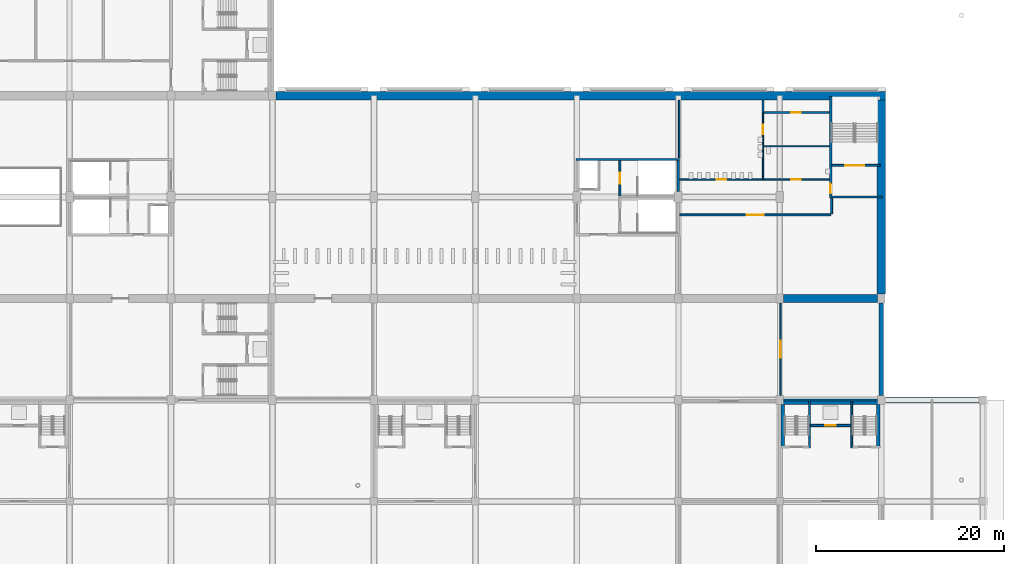
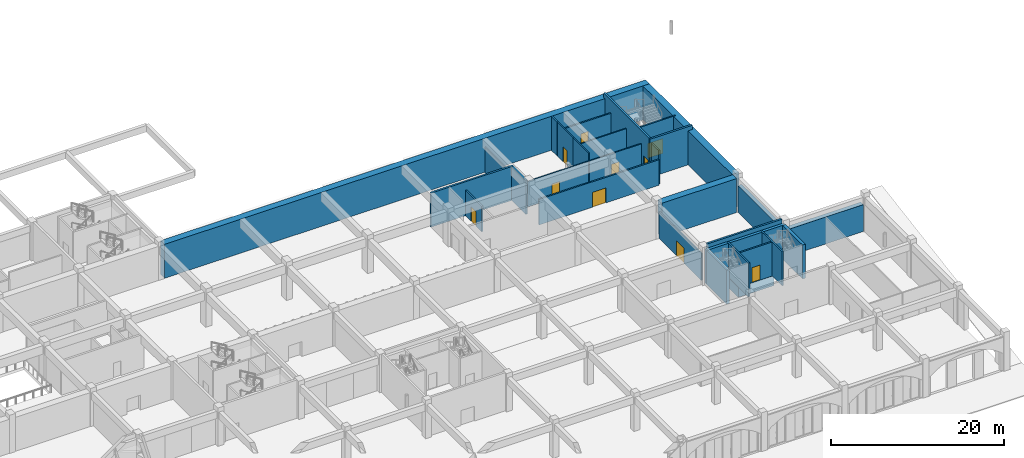
# One storey, part 34 of 101: 32 walls, 10 doors, 10 openings.
"""IFC4 building model written with IfcOpenShell, lengths in metres."""

from ifc_helpers import new_model, si_unit, direction, frame, frame_2d, origin, place, context, subcontext, project, spatial, polyline, rectangle, outline, extrude, material, layer, layer_set, type_object, element, fill, save


model = new_model("IFC4")

# Units and contexts
model_context = context("Model", 3, precision=1e-05, world=origin(), true_north=direction((0.0, 1.0)))
body_context = subcontext(model_context, "Body", "Model", "MODEL_VIEW")
ifc_project = project(units=[si_unit("LENGTHUNIT", "METRE"), si_unit("AREAUNIT", "SQUARE_METRE"), si_unit("VOLUMEUNIT", "CUBIC_METRE"), si_unit("PLANEANGLEUNIT", "RADIAN"), si_unit("MASSUNIT", "GRAM", prefix="KILO")], contexts=[model_context])

# Site, building, storey
site_placement = place(None, origin())
site = spatial("IfcSite", under=ifc_project, at=site_placement, CompositionType="ELEMENT")
building_placement = place(site_placement, origin())
building = spatial("IfcBuilding", under=site, at=building_placement, Name="Magnolia Steps Interchange", CompositionType="ELEMENT")
storey_placement = place(building_placement, frame((0.0, 0.0, -5.39990234375)))
storey = spatial("IfcBuildingStorey", under=building, at=storey_placement, Name="B1", CompositionType="ELEMENT", Elevation=-5.39990234375)

# Walls
ifc_material_1 = material(Name="Concrete C40", Category="concrete")
ifc_layer_1 = layer(ifc_material_1, 0.60009765625)
ifc_layer_set_1 = layer_set([ifc_layer_1], Name="Concrete C40 deep retaining wall 600")
wall_type_1 = type_object("IfcWallType", Name="Concrete C40 deep retaining wall 600", PredefinedType="SOLIDWALL", material=ifc_layer_set_1)
wall_1_placement = place(storey_placement, frame((183.300048828125, 42.39990234375, 0.0), z_axis=(0.0, 0.0, 1.0), x_axis=(1.0, 0.0, 0.0)))
element("IfcWall", 1, at=wall_1_placement, inside=storey, type_object=wall_type_1, Name="Bus deck north retaining wall", PredefinedType="SOLIDWALL", context=body_context, shape_type="SweptSolid", body=[
    extrude(rectangle(XDim=9.89990234375, YDim=0.60009765625, at=frame_2d((4.949951171875, 0.0))), origin(), (0.0, 0.0, 1.0), 3.7998046875),
])
ifc_material_2 = material(Name="Concrete C40", Category="concrete")
ifc_layer_2 = layer(ifc_material_2, 0.5)
ifc_layer_set_2 = layer_set([ifc_layer_2], Name="Concrete C40 plinth retaining wall 500")
wall_type_2 = type_object("IfcWallType", Name="Concrete C40 plinth retaining wall 500", PredefinedType="SOLIDWALL", material=ifc_layer_set_2)
wall_2_placement = place(storey_placement, frame((182.800048828125, 42.89990234375, 0.0), z_axis=(0.0, 0.0, 1.0), x_axis=(0.0, 1.0, 0.0)))
element("IfcWall", 2, at=wall_2_placement, inside=storey, type_object=wall_type_2, Name="Concourse east retaining wall", PredefinedType="SOLIDWALL", context=body_context, shape_type="SweptSolid", body=[
    extrude(rectangle(XDim=9.800048828125, YDim=0.5, at=frame_2d((4.89990234375, 0.0))), origin(), (0.0, 0.0, 1.0), 3.7998046875),
])

# Wall, opening, door
ifc_material_3 = material(Name="Concrete C35", Category="concrete")
ifc_layer_3 = layer(ifc_material_3, 0.199951171875)
ifc_layer_set_3 = layer_set([ifc_layer_3], Name="Core enclosure wall 200")
wall_type_3 = type_object("IfcWallType", Name="Core enclosure wall 200", PredefinedType="SOLIDWALL", material=ifc_layer_set_3)
wall_3_placement = place(storey_placement, frame((154.97509765625, 67.875, 0.0), z_axis=(0.0, 0.0, 1.0), x_axis=(0.0, -1.0, 0.0)))
wall_3 = element("IfcWall", 3, at=wall_3_placement, inside=storey, type_object=wall_type_3, Name="B1 PC3 enclosure wall", PredefinedType="SOLIDWALL", context=body_context, shape_type="SweptSolid", body=[
    extrude(rectangle(XDim=3.75, YDim=0.199951171875, at=frame_2d((1.875, 0.0))), origin(), (0.0, 0.0, 1.0), 3.599853515625),
])
opening_1_placement = place(wall_3_placement, frame((1.27490234375, 0.0, 0.0)))
opening_1 = element("IfcOpeningElement", 4, at=opening_1_placement, cuts=wall_3, Name="Opening D-PC3-B1-1", PredefinedType="OPENING", context=body_context, shape_type="SweptSolid", body=[
    extrude(rectangle(XDim=1.199951171875, YDim=2.10009765625, at=frame_2d((0.60009765625, 1.050048828125))), frame((0.0, 0.10986328125, 0.0), z_axis=(0.0, -1.0, 0.0), x_axis=(1.0, 0.0, 0.0)), (0.0, 0.0, 1.0), 0.219970703125),
])
ifc_material_4 = material(Name="Painted steel", Category="steel")
door_type_1 = type_object("IfcDoorType", Name="Stair fire door 1200x2100", OperationType="NOTDEFINED", PredefinedType="DOOR", material=ifc_material_4)
door_1_placement = place(opening_1_placement, frame((1.199951171875, 0.0, 0.0), z_axis=(0.0, 0.0, 1.0), x_axis=(-1.0, 0.0, 0.0)))
door_1 = element("IfcDoor", 5, at=door_1_placement, inside=storey, type_object=door_type_1, Name="Stair door ST13 B1", OperationType="SINGLE_SWING_RIGHT", OverallHeight=2.10009765625, OverallWidth=1.199951171875, PredefinedType="DOOR", context=body_context, shape_type="SweptSolid", body=[
    extrude(rectangle(XDim=1.199951171875, YDim=2.10009765625, at=frame_2d((0.60009765625, 1.050048828125))), frame((0.0, 0.02490234375, 0.0), z_axis=(0.0, -1.0, 0.0), x_axis=(1.0, 0.0, 0.0)), (0.0, 0.0, 1.0), 0.050048828125),
])
fill(opening_1, door_1)

wall_4_placement = place(storey_placement, frame((177.52490234375, 67.375, 0.0), z_axis=(0.0, 0.0, 1.0), x_axis=(1.0, 0.0, 0.0)))
wall_4 = element("IfcWall", 6, at=wall_4_placement, inside=storey, type_object=wall_type_3, Name="B1 BE-E enclosure wall", PredefinedType="SOLIDWALL", context=body_context, shape_type="SweptSolid", body=[
    extrude(rectangle(XDim=5.150146484375, YDim=0.199951171875, at=frame_2d((2.5751953125, 0.0))), origin(), (0.0, 0.0, 1.0), 4.7998046875),
])
opening_2_placement = place(wall_4_placement, frame((1.449951171875, 0.0, 0.0)))
opening_2 = element("IfcOpeningElement", 7, at=opening_2_placement, cuts=wall_4, Name="Opening D-BE-E-B1-1", PredefinedType="OPENING", context=body_context, shape_type="SweptSolid", body=[
    extrude(rectangle(XDim=2.0, YDim=2.10009765625, at=frame_2d((1.0, 1.050048828125))), frame((0.0, 0.10986328125, 0.0), z_axis=(0.0, -1.0, 0.0), x_axis=(1.0, 0.0, 0.0)), (0.0, 0.0, 1.0), 0.219970703125),
])
ifc_material_5 = material(Name="Painted steel", Category="steel")
door_type_2 = type_object("IfcDoorType", Name="Stair fire door pair 2000x2100", OperationType="DOUBLE_DOOR_DOUBLE_SWING", PredefinedType="DOOR", material=ifc_material_5)
door_2_placement = place(opening_2_placement, frame((2.0, 0.0, 0.0), z_axis=(0.0, 0.0, 1.0), x_axis=(-1.0, 0.0, 0.0)))
door_2 = element("IfcDoor", 8, at=door_2_placement, inside=storey, type_object=door_type_2, Name="Stair door ST16 B1", OperationType="DOUBLE_DOOR_DOUBLE_SWING", OverallHeight=2.10009765625, OverallWidth=2.0, PredefinedType="DOOR", context=body_context, shape_type="SweptSolid", body=[
    extrude(rectangle(XDim=2.0, YDim=2.10009765625, at=frame_2d((1.0, 1.050048828125))), frame((0.0, 0.02490234375, 0.0), z_axis=(0.0, -1.0, 0.0), x_axis=(1.0, 0.0, 0.0)), (0.0, 0.0, 1.0), 0.050048828125),
])
fill(opening_2, door_2)

# Wall
wall_5_placement = place(storey_placement, frame((175.14990234375, 37.300048828125, 0.0), z_axis=(0.0, 0.0, 1.0), x_axis=(0.0, 1.0, 0.0)))
element("IfcWall", 9, at=wall_5_placement, inside=storey, type_object=wall_type_3, Name="B1 BC4 enclosure wall", PredefinedType="SOLIDWALL", context=body_context, shape_type="SweptSolid", body=[
    extrude(rectangle(XDim=4.974853515625, YDim=0.199951171875, at=frame_2d((2.4873046875, 0.0))), origin(), (0.0, 0.0, 1.0), 4.7998046875),
])

# Wall, opening, door
wall_6_placement = place(storey_placement, frame((175.25, 39.699951171875, 0.0), z_axis=(0.0, 0.0, 1.0), x_axis=(1.0, 0.0, 0.0)))
wall_6 = element("IfcWall", 10, at=wall_6_placement, inside=storey, type_object=wall_type_3, Name="B1 BC4 enclosure wall", PredefinedType="SOLIDWALL", context=body_context, shape_type="SweptSolid", body=[
    extrude(rectangle(XDim=4.300048828125, YDim=0.199951171875, at=frame_2d((2.14990234375, 0.0))), origin(), (0.0, 0.0, 1.0), 4.7998046875),
])
opening_3_placement = place(wall_6_placement, frame((1.60009765625, 0.0, 0.0)))
opening_3 = element("IfcOpeningElement", 11, at=opening_3_placement, cuts=wall_6, Name="Opening LD", PredefinedType="OPENING", context=body_context, shape_type="SweptSolid", body=[
    extrude(rectangle(XDim=1.10009765625, YDim=2.10009765625, at=frame_2d((0.550048828125, 1.050048828125))), frame((0.0, 0.10986328125, 0.0), z_axis=(0.0, -1.0, 0.0), x_axis=(1.0, 0.0, 0.0)), (0.0, 0.0, 1.0), 0.219970703125),
])
ifc_material_6 = material(Name="Stainless steel grade 304", Category="steel")
door_type_3 = type_object("IfcDoorType", Name="Lift landing door 1100x2100", OperationType="DOUBLE_DOOR_SLIDING", PredefinedType="DOOR", material=ifc_material_6)
door_3_placement = place(opening_3_placement, frame((1.10009765625, 0.0, 0.0), z_axis=(0.0, 0.0, 1.0), x_axis=(-1.0, 0.0, 0.0)))
door_3 = element("IfcDoor", 12, at=door_3_placement, inside=storey, type_object=door_type_3, Name="Lift landing door LF11 B1", OperationType="DOUBLE_DOOR_SLIDING", OverallHeight=2.10009765625, OverallWidth=1.10009765625, PredefinedType="DOOR", context=body_context, shape_type="SweptSolid", body=[
    extrude(rectangle(XDim=1.10009765625, YDim=2.10009765625, at=frame_2d((0.550048828125, 1.050048828125))), frame((0.0, 0.02490234375, 0.0), z_axis=(0.0, -1.0, 0.0), x_axis=(1.0, 0.0, 0.0)), (0.0, 0.0, 1.0), 0.050048828125),
])
fill(opening_3, door_3)

# Walls
wall_7_placement = place(storey_placement, frame((179.64990234375, 37.300048828125, 0.0), z_axis=(0.0, 0.0, 1.0), x_axis=(0.0, 1.0, 0.0)))
element("IfcWall", 13, at=wall_7_placement, inside=storey, type_object=wall_type_3, Name="B1 BC4 enclosure wall", PredefinedType="SOLIDWALL", context=body_context, shape_type="SweptSolid", body=[
    extrude(rectangle(XDim=4.974853515625, YDim=0.199951171875, at=frame_2d((2.4873046875, 0.0))), origin(), (0.0, 0.0, 1.0), 4.7998046875),
])
ifc_material_7 = material(Name="Concrete C35", Category="concrete")
ifc_layer_4 = layer(ifc_material_7, 0.375)
ifc_layer_set_4 = layer_set([ifc_layer_4], Name="Core lining wall 375")
wall_type_4 = type_object("IfcWallType", Name="Core lining wall 375", PredefinedType="SOLIDWALL", material=ifc_layer_set_4)
wall_8_placement = place(storey_placement, frame((172.3125, 37.300048828125, 0.0), z_axis=(0.0, 0.0, 1.0), x_axis=(0.0, 1.0, 0.0)))
element("IfcWall", 14, at=wall_8_placement, inside=storey, type_object=wall_type_4, Name="B1 BC4 stair lining wall", PredefinedType="SOLIDWALL", context=body_context, shape_type="SweptSolid", body=[
    extrude(rectangle(XDim=4.974853515625, YDim=0.375, at=frame_2d((2.4873046875, 0.0))), origin(), (0.0, 0.0, 1.0), 4.7998046875),
])
wall_9_placement = place(storey_placement, frame((172.125, 42.08740234375, 0.0), z_axis=(0.0, 0.0, 1.0), x_axis=(1.0, 0.0, 0.0)))
element("IfcWall", 15, at=wall_9_placement, inside=storey, type_object=wall_type_4, Name="B1 BC4 stair lining wall", PredefinedType="SOLIDWALL", context=body_context, shape_type="SweptSolid", body=[
    extrude(rectangle(XDim=2.925048828125, YDim=0.375, at=frame_2d((1.46240234375, 0.0))), origin(), (0.0, 0.0, 1.0), 4.7998046875),
])
wall_10_placement = place(storey_placement, frame((182.487548828125, 37.300048828125, 0.0), z_axis=(0.0, 0.0, 1.0), x_axis=(0.0, 1.0, 0.0)))
element("IfcWall", 16, at=wall_10_placement, inside=storey, type_object=wall_type_4, Name="B1 BC4 stair lining wall", PredefinedType="SOLIDWALL", context=body_context, shape_type="SweptSolid", body=[
    extrude(rectangle(XDim=4.974853515625, YDim=0.375, at=frame_2d((2.4873046875, 0.0))), origin(), (0.0, 0.0, 1.0), 4.7998046875),
])
wall_11_placement = place(storey_placement, frame((179.75, 42.08740234375, 0.0), z_axis=(0.0, 0.0, 1.0), x_axis=(1.0, 0.0, 0.0)))
element("IfcWall", 17, at=wall_11_placement, inside=storey, type_object=wall_type_4, Name="B1 BC4 stair lining wall", PredefinedType="SOLIDWALL", context=body_context, shape_type="SweptSolid", body=[
    extrude(rectangle(XDim=2.925048828125, YDim=0.375, at=frame_2d((1.46240234375, 0.0))), origin(), (0.0, 0.0, 1.0), 4.7998046875),
])
wall_12_placement = place(storey_placement, frame((175.25, 42.08740234375, 0.0), z_axis=(0.0, 0.0, 1.0), x_axis=(1.0, 0.0, 0.0)))
element("IfcWall", 18, at=wall_12_placement, inside=storey, type_object=wall_type_4, Name="B1 BC4 stair lining wall", PredefinedType="SOLIDWALL", context=body_context, shape_type="SweptSolid", body=[
    extrude(rectangle(XDim=4.300048828125, YDim=0.375, at=frame_2d((2.14990234375, 0.0))), origin(), (0.0, 0.0, 1.0), 4.7998046875),
])
ifc_material_8 = material(Name="Concrete C40", Category="concrete")
ifc_layer_5 = layer(ifc_material_8, 0.25)
ifc_layer_set_5 = layer_set([ifc_layer_5], Name="Core wall 250")
wall_type_5 = type_object("IfcWallType", Name="Core wall 250", PredefinedType="SOLIDWALL", material=ifc_layer_set_5)
wall_13_placement = place(storey_placement, frame((161.199951171875, 64.60009765625, 0.0), z_axis=(0.0, 0.0, 1.0), x_axis=(0.0, 1.0, 0.0)))
element("IfcWall", 19, at=wall_13_placement, inside=storey, type_object=wall_type_5, Name="Core wall PC3", PredefinedType="SOLIDWALL", context=body_context, shape_type="SweptSolid", body=[
    extrude(rectangle(XDim=3.27490234375, YDim=0.25, at=frame_2d((1.637451171875, 0.0))), origin(), (0.0, 0.0, 1.0), 4.7998046875),
])
wall_14_placement = place(storey_placement, frame((161.324951171875, 68.0, 0.0), z_axis=(0.0, 0.0, 1.0), x_axis=(-1.0, 0.0, 0.0)))
element("IfcWall", 20, at=wall_14_placement, inside=storey, type_object=wall_type_5, Name="Core wall PC3", PredefinedType="SOLIDWALL", context=body_context, shape_type="SweptSolid", body=[
    extrude(rectangle(XDim=11.050048828125, YDim=0.25, at=frame_2d((5.52490234375, 0.0))), origin(), (0.0, 0.0, 1.0), 4.7998046875),
])
wall_15_placement = place(storey_placement, frame((177.27490234375, 64.0, 0.0), z_axis=(0.0, 0.0, 1.0), x_axis=(1.0, 0.0, 0.0)))
element("IfcWall", 21, at=wall_15_placement, inside=storey, type_object=wall_type_5, Name="Core wall BE-E", PredefinedType="SOLIDWALL", context=body_context, shape_type="SweptSolid", body=[
    extrude(rectangle(XDim=5.650146484375, YDim=0.25, at=frame_2d((2.8251953125, 0.0))), origin(), (0.0, 0.0, 1.0), 5.39990234375),
])

# Wall, opening, door
wall_16_placement = place(storey_placement, frame((177.39990234375, 74.675048828125, 0.0), z_axis=(0.0, 0.0, 1.0), x_axis=(0.0, -1.0, 0.0)))
wall_16 = element("IfcWall", 22, at=wall_16_placement, inside=storey, type_object=wall_type_5, Name="Core wall BE-E", PredefinedType="SOLIDWALL", context=body_context, shape_type="SweptSolid", body=[
    extrude(rectangle(XDim=10.550048828125, YDim=0.25, at=frame_2d((5.27490234375, 0.0))), origin(), (0.0, 0.0, 1.0), 5.39990234375),
])
opening_4_placement = place(wall_16_placement, frame((9.27490234375, 0.0, 0.0)))
opening_4 = element("IfcOpeningElement", 23, at=opening_4_placement, cuts=wall_16, Name="Opening D-BE-E-B1-2", PredefinedType="OPENING", context=body_context, shape_type="SweptSolid", body=[
    extrude(rectangle(XDim=1.0, YDim=2.10009765625, at=frame_2d((0.5, 1.050048828125))), frame((0.0, 0.135009765625, 0.0), z_axis=(0.0, -1.0, 0.0), x_axis=(1.0, 0.0, 0.0)), (0.0, 0.0, 1.0), 0.27001953125),
])
ifc_material_9 = material(Name="Timber and glass", Category="wood")
door_type_4 = type_object("IfcDoorType", Name="Core entrance door 1000x2100", OperationType="NOTDEFINED", PredefinedType="DOOR", material=ifc_material_9)
door_4_placement = place(opening_4_placement, frame((1.0, 0.0, 0.0), z_axis=(0.0, 0.0, 1.0), x_axis=(-1.0, 0.0, 0.0)))
door_4 = element("IfcDoor", 24, at=door_4_placement, inside=storey, type_object=door_type_4, Name="Core entrance door BE-E B1", OperationType="SINGLE_SWING_LEFT", OverallHeight=2.10009765625, OverallWidth=1.0, PredefinedType="DOOR", context=body_context, shape_type="SweptSolid", body=[
    extrude(rectangle(XDim=1.0, YDim=2.10009765625, at=frame_2d((0.5, 1.050048828125))), frame((0.0, 0.02490234375, 0.0), z_axis=(0.0, -1.0, 0.0), x_axis=(1.0, 0.0, 0.0)), (0.0, 0.0, 1.0), 0.050048828125),
])
fill(opening_4, door_4)

# Walls
wall_17_placement = place(storey_placement, frame((182.39990234375, 42.39990234375, 0.0), z_axis=(0.0, 0.0, 1.0), x_axis=(-1.0, 0.0, 0.0)))
element("IfcWall", 25, at=wall_17_placement, inside=storey, type_object=wall_type_5, Name="Core wall BC4", PredefinedType="SOLIDWALL", context=body_context, shape_type="SweptSolid", body=[
    extrude(rectangle(XDim=10.0, YDim=0.25, at=frame_2d((5.0, 0.0))), origin(), (0.0, 0.0, 1.0), 5.39990234375),
])
ifc_material_10 = material(Name="Concrete C40", Category="concrete")
ifc_layer_6 = layer(ifc_material_10, 0.89990234375)
ifc_layer_set_6 = layer_set([ifc_layer_6], Name="Diaphragm wall 900")
wall_type_6 = type_object("IfcWallType", Name="Diaphragm wall 900", PredefinedType="SOLIDWALL", material=ifc_layer_set_6)
wall_18_placement = place(storey_placement, frame((172.39990234375, 53.199951171875, 0.0), z_axis=(0.0, 0.0, 1.0), x_axis=(1.0, 0.0, 0.0)))
element("IfcWall", 26, at=wall_18_placement, inside=storey, type_object=wall_type_6, Name="Metro box wall S", PredefinedType="SOLIDWALL", context=body_context, shape_type="SweptSolid", body=[
    extrude(rectangle(XDim=10.0, YDim=0.89990234375, at=frame_2d((5.0, 0.0))), origin(), (0.0, 0.0, 1.0), 4.7998046875),
])
wall_19_placement = place(storey_placement, frame((183.25, 74.800048828125, 0.0), z_axis=(0.0, 0.0, 1.0), x_axis=(-1.0, 0.0, 0.0)))
element("IfcWall", 27, at=wall_19_placement, inside=storey, type_object=wall_type_6, Name="Metro box wall N", PredefinedType="SOLIDWALL", context=body_context, shape_type="SweptSolid", body=[
    extrude(rectangle(XDim=64.85009765625, YDim=0.89990234375, at=frame_2d((32.425048828125, 0.0))), origin(), (0.0, 0.0, 1.0), 4.7998046875),
])
wall_20_placement = place(storey_placement, frame((182.800048828125, 53.699951171875, 0.0), z_axis=(0.0, 0.0, 1.0), x_axis=(0.0, 1.0, 0.0)))
element("IfcWall", 28, at=wall_20_placement, inside=storey, type_object=wall_type_6, Name="Metro box wall E", PredefinedType="SOLIDWALL", context=body_context, shape_type="SweptSolid", body=[
    extrude(rectangle(XDim=20.650146484375, YDim=0.89990234375, at=frame_2d((10.3251953125, 0.0))), origin(), (0.0, 0.0, 1.0), 4.7998046875),
])
ifc_material_11 = material(Name="Fair-faced blockwork", Category="masonry")
ifc_layer_7 = layer(ifc_material_11, 0.199951171875)
ifc_layer_set_7 = layer_set([ifc_layer_7], Name="Fire partition wall 200")
wall_type_7 = type_object("IfcWallType", Name="Fire partition wall 200", PredefinedType="PARTITIONING", material=ifc_layer_set_7)
wall_21_placement = place(storey_placement, frame((177.5, 62.199951171875, 0.0), z_axis=(0.0, 0.0, 1.0), x_axis=(0.0, 1.0, 0.0)))
element("IfcWall", 29, at=wall_21_placement, inside=storey, type_object=wall_type_7, Name="B1 partition 16", PredefinedType="PARTITIONING", context=body_context, shape_type="SweptSolid", body=[
    extrude(rectangle(XDim=1.64501953125, YDim=0.199951171875, at=frame_2d((0.822509765625, 0.0))), origin(), (0.0, 0.0, 1.0), 4.7998046875),
])

# Wall, opening, door
wall_22_placement = place(storey_placement, frame((161.35498046875, 62.10009765625, 0.0), z_axis=(0.0, 0.0, 1.0), x_axis=(1.0, 0.0, 0.0)))
wall_22 = element("IfcWall", 30, at=wall_22_placement, inside=storey, type_object=wall_type_7, Name="B1 partition 17", PredefinedType="PARTITIONING", context=body_context, shape_type="SweptSolid", body=[
    extrude(rectangle(XDim=16.044921875, YDim=0.199951171875, at=frame_2d((8.0224609375, 0.0))), origin(), (0.0, 0.0, 1.0), 3.599853515625),
])
opening_5_placement = place(wall_22_placement, frame((7.12255859375, 0.0, 0.0)))
opening_5 = element("IfcOpeningElement", 31, at=opening_5_placement, cuts=wall_22, Name="Opening D-B1-7", PredefinedType="OPENING", context=body_context, shape_type="SweptSolid", body=[
    extrude(rectangle(XDim=1.800048828125, YDim=2.10009765625, at=frame_2d((0.89990234375, 1.050048828125))), frame((0.0, 0.10986328125, 0.0), z_axis=(0.0, -1.0, 0.0), x_axis=(1.0, 0.0, 0.0)), (0.0, 0.0, 1.0), 0.219970703125),
])
ifc_material_12 = material(Name="Painted steel", Category="steel")
door_type_5 = type_object("IfcDoorType", Name="Plant room door pair 1800x2100", OperationType="DOUBLE_DOOR_DOUBLE_SWING", PredefinedType="DOOR", material=ifc_material_12)
door_5_placement = place(opening_5_placement, frame((1.800048828125, 0.0, 0.0), z_axis=(0.0, 0.0, 1.0), x_axis=(-1.0, 0.0, 0.0)))
door_5 = element("IfcDoor", 32, at=door_5_placement, inside=storey, type_object=door_type_5, Name="Ventilation Plant door", OperationType="DOUBLE_DOOR_DOUBLE_SWING", OverallHeight=2.10009765625, OverallWidth=1.800048828125, PredefinedType="DOOR", context=body_context, shape_type="SweptSolid", body=[
    extrude(rectangle(XDim=1.800048828125, YDim=2.10009765625, at=frame_2d((0.89990234375, 1.050048828125))), frame((0.0, 0.02490234375, 0.0), z_axis=(0.0, -1.0, 0.0), x_axis=(1.0, 0.0, 0.0)), (0.0, 0.0, 1.0), 0.050048828125),
])
fill(opening_5, door_5)

# Wall
wall_23_placement = place(storey_placement, frame((170.199951171875, 73.0, 0.0), z_axis=(0.0, 0.0, 1.0), x_axis=(0.0, 1.0, 0.0)))
element("IfcWall", 33, at=wall_23_placement, inside=storey, type_object=wall_type_7, Name="B1 partition 24", PredefinedType="PARTITIONING", context=body_context, shape_type="SweptSolid", body=[
    extrude(rectangle(XDim=1.320068359375, YDim=0.199951171875, at=frame_2d((0.66015625, 0.0))), origin(), (0.0, 0.0, 1.0), 4.7998046875),
])

# Wall, opening, door
wall_24_placement = place(storey_placement, frame((170.199951171875, 73.0, 0.0), z_axis=(0.0, 0.0, 1.0), x_axis=(1.0, 0.0, 0.0)))
wall_24 = element("IfcWall", 34, at=wall_24_placement, inside=storey, type_object=wall_type_7, Name="B1 partition 26", PredefinedType="PARTITIONING", context=body_context, shape_type="SweptSolid", body=[
    extrude(rectangle(XDim=7.045166015625, YDim=0.199951171875, at=frame_2d((3.5224609375, 0.0))), origin(), (0.0, 0.0, 1.0), 3.599853515625),
])
opening_6_placement = place(wall_24_placement, frame((3.0224609375, 0.0, 0.0)))
opening_6 = element("IfcOpeningElement", 35, at=opening_6_placement, cuts=wall_24, Name="Opening D-B1-11", PredefinedType="OPENING", context=body_context, shape_type="SweptSolid", body=[
    extrude(rectangle(XDim=1.0, YDim=2.10009765625, at=frame_2d((0.5, 1.050048828125))), frame((0.0, 0.10986328125, 0.0), z_axis=(0.0, -1.0, 0.0), x_axis=(1.0, 0.0, 0.0)), (0.0, 0.0, 1.0), 0.219970703125),
])
ifc_material_13 = material(Name="Painted steel", Category="steel")
door_type_6 = type_object("IfcDoorType", Name="Plant room door 1000x2100", OperationType="NOTDEFINED", PredefinedType="DOOR", material=ifc_material_13)
door_6_placement = place(opening_6_placement, origin())
door_6 = element("IfcDoor", 36, at=door_6_placement, inside=storey, type_object=door_type_6, Name="Paid-area Cleaners' Store door", OperationType="SINGLE_SWING_LEFT", OverallHeight=2.10009765625, OverallWidth=1.0, PredefinedType="DOOR", context=body_context, shape_type="SweptSolid", body=[
    extrude(rectangle(XDim=1.0, YDim=2.10009765625, at=frame_2d((0.5, 1.050048828125))), frame((0.0, 0.02490234375, 0.0), z_axis=(0.0, -1.0, 0.0), x_axis=(1.0, 0.0, 0.0)), (0.0, 0.0, 1.0), 0.050048828125),
])
fill(opening_6, door_6)

# Wall
ifc_material_14 = material(Name="Concrete C40", Category="concrete")
ifc_layer_8 = layer(ifc_material_14, 0.25)
ifc_layer_set_8 = layer_set([ifc_layer_8], Name="Lift pit wall 250")
wall_type_8 = type_object("IfcWallType", Name="Lift pit wall 250", PredefinedType="SOLIDWALL", material=ifc_layer_set_8)
wall_25_placement = place(storey_placement, frame((0.0, 0.0, -1.400146484375)))
element("IfcWall", 37, at=wall_25_placement, inside=storey, type_object=wall_type_8, Name="Lift pit wall BC4", PredefinedType="SOLIDWALL", context=body_context, shape_type="SweptSolid", body=[
    extrude(outline(polyline([(175.0, 39.550048828125), (179.800048828125, 39.550048828125), (179.800048828125, 42.14990234375), (175.0, 42.14990234375), (175.0, 39.550048828125)]), holes=[polyline([(179.550048828125, 39.800048828125), (179.550048828125, 41.89990234375), (175.25, 41.89990234375), (175.25, 39.800048828125), (179.550048828125, 39.800048828125)])]), origin(), (0.0, 0.0, 1.0), 1.400146484375),
])

# Wall, opening, door
ifc_material_15 = material(Name="Fair-faced blockwork", Category="masonry")
ifc_layer_9 = layer(ifc_material_15, 0.14990234375)
ifc_layer_set_9 = layer_set([ifc_layer_9], Name="Partition wall 150")
wall_type_9 = type_object("IfcWallType", Name="Partition wall 150", PredefinedType="PARTITIONING", material=ifc_layer_set_9)
wall_26_placement = place(storey_placement, frame((170.199951171875, 65.875, 0.0), z_axis=(0.0, 0.0, 1.0), x_axis=(1.0, 0.0, 0.0)))
wall_26 = element("IfcWall", 38, at=wall_26_placement, inside=storey, type_object=wall_type_9, Name="B1 partition 18", PredefinedType="PARTITIONING", context=body_context, shape_type="SweptSolid", body=[
    extrude(rectangle(XDim=7.045166015625, YDim=0.14990234375, at=frame_2d((3.5224609375, 0.0))), origin(), (0.0, 0.0, 1.0), 3.599853515625),
])
opening_7_placement = place(wall_26_placement, frame((3.0224609375, 0.0, 0.0)))
opening_7 = element("IfcOpeningElement", 39, at=opening_7_placement, cuts=wall_26, Name="Opening D-B1-9", PredefinedType="OPENING", context=body_context, shape_type="SweptSolid", body=[
    extrude(rectangle(XDim=1.0, YDim=2.10009765625, at=frame_2d((0.5, 1.050048828125))), frame((0.0, 0.0849609375, 0.0), z_axis=(0.0, -1.0, 0.0), x_axis=(1.0, 0.0, 0.0)), (0.0, 0.0, 1.0), 0.169921875),
])
ifc_material_16 = material(Name="Timber", Category="wood")
door_type_7 = type_object("IfcDoorType", Name="Room door 1000x2100", OperationType="NOTDEFINED", PredefinedType="DOOR", material=ifc_material_16)
door_7_placement = place(opening_7_placement, origin())
door_7 = element("IfcDoor", 40, at=door_7_placement, inside=storey, type_object=door_type_7, Name="Paid-area Accessible Toilet door", OperationType="SINGLE_SWING_LEFT", OverallHeight=2.10009765625, OverallWidth=1.0, PredefinedType="DOOR", context=body_context, shape_type="SweptSolid", body=[
    extrude(rectangle(XDim=1.0, YDim=2.10009765625, at=frame_2d((0.5, 1.050048828125))), frame((0.0, 0.02490234375, 0.0), z_axis=(0.0, -1.0, 0.0), x_axis=(1.0, 0.0, 0.0)), (0.0, 0.0, 1.0), 0.050048828125),
])
fill(opening_7, door_7)

wall_27_placement = place(storey_placement, frame((161.35498046875, 65.875, 0.0), z_axis=(0.0, 0.0, 1.0), x_axis=(1.0, 0.0, 0.0)))
wall_27 = element("IfcWall", 41, at=wall_27_placement, inside=storey, type_object=wall_type_9, Name="B1 partition 19", PredefinedType="PARTITIONING", context=body_context, shape_type="SweptSolid", body=[
    extrude(rectangle(XDim=8.844970703125, YDim=0.14990234375, at=frame_2d((4.42236328125, 0.0))), origin(), (0.0, 0.0, 1.0), 3.599853515625),
])
opening_8_placement = place(wall_27_placement, frame((3.922607421875, 0.0, 0.0)))
opening_8 = element("IfcOpeningElement", 42, at=opening_8_placement, cuts=wall_27, Name="Opening D-B1-8", PredefinedType="OPENING", context=body_context, shape_type="SweptSolid", body=[
    extrude(rectangle(XDim=1.0, YDim=2.10009765625, at=frame_2d((0.5, 1.050048828125))), frame((0.0, 0.0849609375, 0.0), z_axis=(0.0, -1.0, 0.0), x_axis=(1.0, 0.0, 0.0)), (0.0, 0.0, 1.0), 0.169921875),
])
door_8_placement = place(opening_8_placement, origin())
door_8 = element("IfcDoor", 43, at=door_8_placement, inside=storey, type_object=door_type_7, Name="Paid-area Toilets door", OperationType="SINGLE_SWING_LEFT", OverallHeight=2.10009765625, OverallWidth=1.0, PredefinedType="DOOR", context=body_context, shape_type="SweptSolid", body=[
    extrude(rectangle(XDim=1.0, YDim=2.10009765625, at=frame_2d((0.5, 1.050048828125))), frame((0.0, 0.02490234375, 0.0), z_axis=(0.0, -1.0, 0.0), x_axis=(1.0, 0.0, 0.0)), (0.0, 0.0, 1.0), 0.050048828125),
])
fill(opening_8, door_8)

# Walls
wall_28_placement = place(storey_placement, frame((170.199951171875, 65.800048828125, 0.0), z_axis=(0.0, 0.0, 1.0), x_axis=(0.0, 1.0, 0.0)))
element("IfcWall", 44, at=wall_28_placement, inside=storey, type_object=wall_type_9, Name="B1 partition 21", PredefinedType="PARTITIONING", context=body_context, shape_type="SweptSolid", body=[
    extrude(rectangle(XDim=3.599853515625, YDim=0.14990234375, at=frame_2d((1.7998046875, 0.0))), origin(), (0.0, 0.0, 1.0), 4.7998046875),
])
wall_29_placement = place(storey_placement, frame((161.27490234375, 68.155029296875, 0.0), z_axis=(0.0, 0.0, 1.0), x_axis=(0.0, 1.0, 0.0)))
element("IfcWall", 45, at=wall_29_placement, inside=storey, type_object=wall_type_9, Name="B1 partition 22", PredefinedType="PARTITIONING", context=body_context, shape_type="SweptSolid", body=[
    extrude(rectangle(XDim=6.1650390625, YDim=0.14990234375, at=frame_2d((3.08251953125, 0.0))), origin(), (0.0, 0.0, 1.0), 3.599853515625),
])

# Wall, opening, door
wall_30_placement = place(storey_placement, frame((170.199951171875, 69.39990234375, 0.0), z_axis=(0.0, 0.0, 1.0), x_axis=(0.0, 1.0, 0.0)))
wall_30 = element("IfcWall", 46, at=wall_30_placement, inside=storey, type_object=wall_type_9, Name="B1 partition 23", PredefinedType="PARTITIONING", context=body_context, shape_type="SweptSolid", body=[
    extrude(rectangle(XDim=3.60009765625, YDim=0.14990234375, at=frame_2d((1.800048828125, 0.0))), origin(), (0.0, 0.0, 1.0), 4.7998046875),
])
opening_9_placement = place(wall_30_placement, frame((1.300048828125, 0.0, 0.0)))
opening_9 = element("IfcOpeningElement", 47, at=opening_9_placement, cuts=wall_30, Name="Opening D-B1-10", PredefinedType="OPENING", context=body_context, shape_type="SweptSolid", body=[
    extrude(rectangle(XDim=1.0, YDim=2.10009765625, at=frame_2d((0.5, 1.050048828125))), frame((0.0, 0.0849609375, 0.0), z_axis=(0.0, -1.0, 0.0), x_axis=(1.0, 0.0, 0.0)), (0.0, 0.0, 1.0), 0.169921875),
])
door_9_placement = place(opening_9_placement, frame((1.0, 0.0, 0.0), z_axis=(0.0, 0.0, 1.0), x_axis=(-1.0, 0.0, 0.0)))
door_9 = element("IfcDoor", 48, at=door_9_placement, inside=storey, type_object=door_type_7, Name="Paid-area Baby Change Room door", OperationType="SINGLE_SWING_RIGHT", OverallHeight=2.10009765625, OverallWidth=1.0, PredefinedType="DOOR", context=body_context, shape_type="SweptSolid", body=[
    extrude(rectangle(XDim=1.0, YDim=2.10009765625, at=frame_2d((0.5, 1.050048828125))), frame((0.0, 0.02490234375, 0.0), z_axis=(0.0, -1.0, 0.0), x_axis=(1.0, 0.0, 0.0)), (0.0, 0.0, 1.0), 0.050048828125),
])
fill(opening_9, door_9)

# Wall
wall_31_placement = place(storey_placement, frame((170.199951171875, 69.39990234375, 0.0), z_axis=(0.0, 0.0, 1.0), x_axis=(1.0, 0.0, 0.0)))
element("IfcWall", 49, at=wall_31_placement, inside=storey, type_object=wall_type_9, Name="B1 partition 25", PredefinedType="PARTITIONING", context=body_context, shape_type="SweptSolid", body=[
    extrude(rectangle(XDim=7.045166015625, YDim=0.14990234375, at=frame_2d((3.5224609375, 0.0))), origin(), (0.0, 0.0, 1.0), 3.599853515625),
])

# Wall, opening, door
wall_32_placement = place(storey_placement, frame((172.074951171875, 42.919921875, 0.0), z_axis=(0.0, 0.0, 1.0), x_axis=(0.0, 1.0, 0.0)))
wall_32 = element("IfcWall", 50, at=wall_32_placement, inside=storey, type_object=wall_type_9, Name="B1 partition 44", PredefinedType="PARTITIONING", context=body_context, shape_type="SweptSolid", body=[
    extrude(rectangle(XDim=9.760009765625, YDim=0.14990234375, at=frame_2d((4.8798828125, 0.0))), origin(), (0.0, 0.0, 1.0), 3.7998046875),
])
opening_10_placement = place(wall_32_placement, frame((3.97998046875, 0.0, 0.0)))
opening_10 = element("IfcOpeningElement", 51, at=opening_10_placement, cuts=wall_32, Name="Opening D-B1-19", PredefinedType="OPENING", context=body_context, shape_type="SweptSolid", body=[
    extrude(rectangle(XDim=1.800048828125, YDim=2.10009765625, at=frame_2d((0.89990234375, 1.050048828125))), frame((0.0, 0.0849609375, 0.0), z_axis=(0.0, -1.0, 0.0), x_axis=(1.0, 0.0, 0.0)), (0.0, 0.0, 1.0), 0.169921875),
])
ifc_material_17 = material(Name="Timber", Category="wood")
door_type_8 = type_object("IfcDoorType", Name="Room door pair 1800x2100", OperationType="DOUBLE_DOOR_DOUBLE_SWING", PredefinedType="DOOR", material=ifc_material_17)
door_10_placement = place(opening_10_placement, frame((1.800048828125, 0.0, 0.0), z_axis=(0.0, 0.0, 1.0), x_axis=(-1.0, 0.0, 0.0)))
door_10 = element("IfcDoor", 52, at=door_10_placement, inside=storey, type_object=door_type_8, Name="Retail Kiosk 3 door", OperationType="DOUBLE_DOOR_DOUBLE_SWING", OverallHeight=2.10009765625, OverallWidth=1.800048828125, PredefinedType="DOOR", context=body_context, shape_type="SweptSolid", body=[
    extrude(rectangle(XDim=1.800048828125, YDim=2.10009765625, at=frame_2d((0.89990234375, 1.050048828125))), frame((0.0, 0.02490234375, 0.0), z_axis=(0.0, -1.0, 0.0), x_axis=(1.0, 0.0, 0.0)), (0.0, 0.0, 1.0), 0.050048828125),
])
fill(opening_10, door_10)

save(model, "model.ifc")
